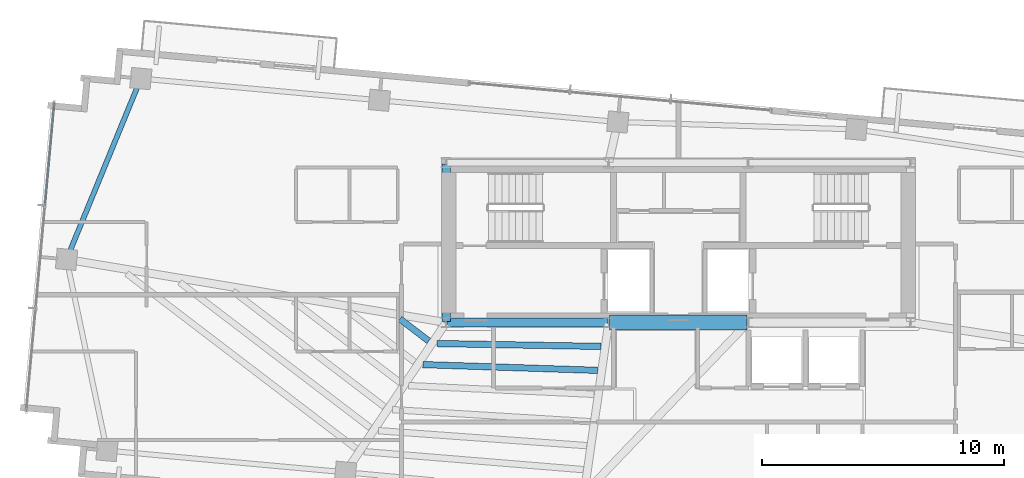
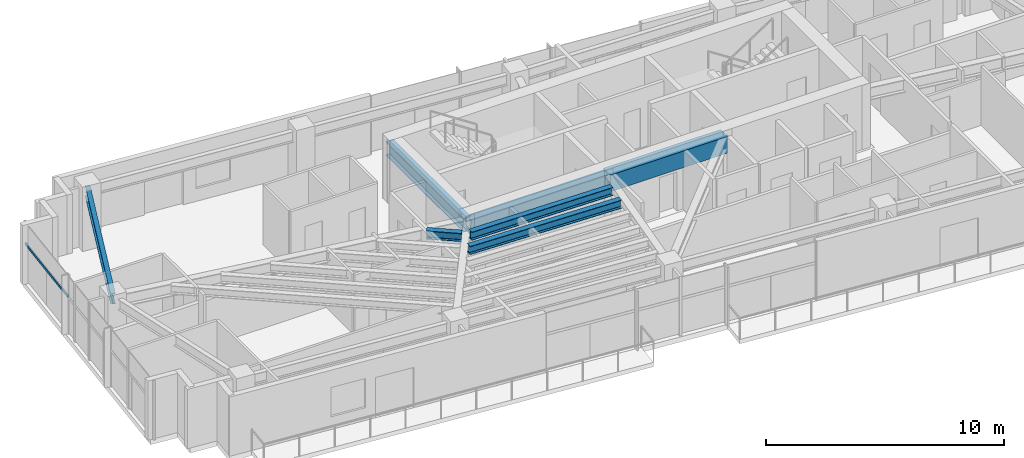
# One storey, part 8 of 22: 7 beams, 1 member, 1 element without a shape of its own.
"""IFC4 building model written with IfcOpenShell, lengths in metres."""

from ifc_helpers import new_model, si_unit, direction, frame, origin, origin_2d, place, context, subcontext, project, spatial, rectangle, hollow_rectangle, i_section, extrude, source, transform, mapped, material, material_profile, profile_set, type_object, type_shapes, element, aggregate, save


model = new_model("IFC4")

# Units and contexts
model_context = context("Model", 3, precision=1e-05, world=origin(), true_north=direction((0.0, 1.0)))
body_context = subcontext(model_context, "Body", "Model", "MODEL_VIEW")
ifc_project = project(units=[si_unit("LENGTHUNIT", "METRE"), si_unit("AREAUNIT", "SQUARE_METRE"), si_unit("VOLUMEUNIT", "CUBIC_METRE"), si_unit("PLANEANGLEUNIT", "RADIAN"), si_unit("MASSUNIT", "GRAM", prefix="KILO")], contexts=[model_context])

# Site, building, storey
site_placement = place(None, origin())
site = spatial("IfcSite", under=ifc_project, at=site_placement, CompositionType="ELEMENT")
building_placement = place(site_placement, origin())
building = spatial("IfcBuilding", under=site, at=building_placement, Name="Astriad Promenade Condominiums", CompositionType="ELEMENT")
storey_placement = place(building_placement, frame((0.0, 0.0, 249.60009765625)))
storey = spatial("IfcBuildingStorey", under=building, at=storey_placement, Name="L72", CompositionType="ELEMENT", Elevation=249.60009765625)

# Beams
ifc_material_1 = material(Name="Steel ASTM A992 Grade 50", Category="steel")
ifc_material_profile_1 = material_profile(ifc_material_1, i_section(OverallWidth=0.3837890625, OverallDepth=0.785888671875, WebThickness=0.019775390625, FlangeThickness=0.033447265625, FilletRadius=0.021484375, at=origin_2d()), Name="W30X211")
ifc_profile_set_1 = profile_set([ifc_material_profile_1], Name="Steel ASTM A992 Grade 50")
beam_type_1 = type_object("IfcBeamType", Name="STEEL FLOOR GIRDER W30X211", PredefinedType="BEAM", material=ifc_profile_set_1)
shared_shape_1 = source(origin(), body_context, "Body", "SweptSolid", [
    extrude(i_section(OverallWidth=0.3837890625, OverallDepth=0.785888671875, WebThickness=0.019775390625, FlangeThickness=0.033447265625, FilletRadius=0.021484375, at=origin_2d()), origin(), (0.0, 0.0, 1.0), 6.64013671875),
])
type_shapes(beam_type_1, [shared_shape_1])
beam_1_placement = place(storey_placement, frame((26.43994140625, 17.39990234375, 2.64697265625), z_axis=(1.0, 0.0, 0.0), x_axis=(0.0, 1.0, 0.0)))
element("IfcBeam", 1, at=beam_1_placement, inside=storey, type_object=beam_type_1, Name="Core Ring Beam CG-S1-L72", PredefinedType="BEAM", context=body_context, shape_type="MappedRepresentation", body=[
    mapped(shared_shape_1, transform((0.0, 0.0, 0.0), scale=1.0)),
])
ifc_material_profile_2 = material_profile(ifc_material_1, i_section(OverallWidth=0.35791015625, OverallDepth=0.706298828125, WebThickness=0.018310546875, FlangeThickness=0.0302734375, FilletRadius=0.020263671875, at=origin_2d()), Name="W27X178")
ifc_profile_set_2 = profile_set([ifc_material_profile_2], Name="Steel ASTM A992 Grade 50")
beam_type_2 = type_object("IfcBeamType", Name="STEEL FLOOR GIRDER W27X178", PredefinedType="BEAM", material=ifc_profile_set_2)
shared_shape_2 = source(origin(), body_context, "Body", "SweptSolid", [
    extrude(i_section(OverallWidth=0.35791015625, OverallDepth=0.706298828125, WebThickness=0.018310546875, FlangeThickness=0.0302734375, FilletRadius=0.020263671875, at=origin_2d()), origin(), (0.0, 0.0, 1.0), 6.52001953125),
])
type_shapes(beam_type_2, [shared_shape_2])
beam_2_placement = place(storey_placement, frame((26.39990234375, 17.43994140625, 2.686767578125), z_axis=(0.0, 1.0, 0.0), x_axis=(-1.0, 0.0, 0.0)))
element("IfcBeam", 2, at=beam_2_placement, inside=storey, type_object=beam_type_2, Name="Core Ring Beam CG-W1-L72", PredefinedType="BEAM", context=body_context, shape_type="MappedRepresentation", body=[
    mapped(shared_shape_2, transform((0.0, 0.0, 0.0), scale=1.0)),
])
ifc_material_2 = material(Name="Concrete C60/75", Category="concrete")
ifc_material_profile_3 = material_profile(ifc_material_2, rectangle(XDim=0.60009765625, YDim=0.85009765625, at=origin_2d()), Name="RC-BM-600X850")
ifc_profile_set_3 = profile_set([ifc_material_profile_3], Name="Concrete C60/75")
beam_type_3 = type_object("IfcBeamType", Name="CONCRETE CORE COUPLING LINTEL 600X850", PredefinedType="LINTEL", material=ifc_profile_set_3)
shared_shape_3 = source(origin(), body_context, "Body", "SweptSolid", [
    extrude(rectangle(XDim=0.60009765625, YDim=0.85009765625, at=origin_2d()), origin(), (0.0, 0.0, 1.0), 5.68017578125),
])
type_shapes(beam_type_3, [shared_shape_3])
beam_3_placement = place(storey_placement, frame((33.159912109375, 17.39990234375, 2.614990234375), z_axis=(1.0, 0.0, 0.0), x_axis=(0.0, 1.0, 0.0)))
element("IfcBeam", 3, at=beam_3_placement, inside=storey, type_object=beam_type_3, Name="Core Ring Beam CG-S2-L72", PredefinedType="LINTEL", context=body_context, shape_type="MappedRepresentation", body=[
    mapped(shared_shape_3, transform((0.0, 0.0, 0.0), scale=1.0)),
])
ifc_material_profile_4 = material_profile(ifc_material_1, i_section(OverallWidth=0.210693359375, OverallDepth=0.53955078125, WebThickness=0.01171875, FlangeThickness=0.018798828125, FilletRadius=0.0166015625, at=origin_2d()), Name="W21X73")
ifc_profile_set_4 = profile_set([ifc_material_profile_4], Name="Steel ASTM A992 Grade 50")
beam_type_4 = type_object("IfcBeamType", Name="STEEL SPANDREL BEAM W21X73", PredefinedType="SPANDREL", material=ifc_profile_set_4)
shared_shape_4 = source(origin(), body_context, "Body", "SweptSolid", [
    extrude(i_section(OverallWidth=0.210693359375, OverallDepth=0.53955078125, WebThickness=0.01171875, FlangeThickness=0.018798828125, FilletRadius=0.0166015625, at=origin_2d()), origin(), (0.0, 0.0, 1.0), 7.998779296875),
])
type_shapes(beam_type_4, [shared_shape_4])
beam_4_placement = place(storey_placement, frame((13.76611328125, 27.44580078125, 2.77001953125), z_axis=(-0.38000513148, -0.924984378273, 0.0), x_axis=(0.924984378273, -0.38000513148, 0.0)))
element("IfcBeam", 4, at=beam_4_placement, inside=storey, type_object=beam_type_4, Name="Perimeter Spandrel Beam SP-W2-L72", PredefinedType="SPANDREL", context=body_context, shape_type="MappedRepresentation", body=[
    mapped(shared_shape_4, transform((0.0, 0.0, 0.0), scale=1.0)),
])
ifc_material_profile_5 = material_profile(ifc_material_1, i_section(OverallWidth=0.26318359375, OverallDepth=0.425537109375, WebThickness=0.01318359375, FlangeThickness=0.022216796875, FilletRadius=0.013916015625, at=origin_2d()), Name="W16X89")
ifc_profile_set_5 = profile_set([ifc_material_profile_5], Name="Steel ASTM A992 Grade 50")
beam_type_5 = type_object("IfcBeamType", Name="STEEL FLOOR JOIST W16X89", PredefinedType="JOIST", material=ifc_profile_set_5)
shared_shape_5 = source(origin(), body_context, "Body", "SweptSolid", [
    extrude(i_section(OverallWidth=0.26318359375, OverallDepth=0.425537109375, WebThickness=0.01318359375, FlangeThickness=0.022216796875, FilletRadius=0.013916015625, at=origin_2d()), origin(), (0.0, 0.0, 1.0), 1.497314453125),
])
beam_5_placement = place(storey_placement, frame((24.489501953125, 17.547119140625, 2.8271484375), z_axis=(0.79482500583, -0.606838701887, 0.0), x_axis=(0.606838701887, 0.79482500583, 0.0)))
element("IfcBeam", 5, at=beam_5_placement, inside=storey, type_object=beam_type_5, Name="Secondary Composite Floor Joist JW1-6-L72", PredefinedType="JOIST", context=body_context, shape_type="MappedRepresentation", body=[
    mapped(shared_shape_5, transform((0.0, 0.0, 0.0), scale=1.0)),
])
shared_shape_6 = source(origin(), body_context, "Body", "SweptSolid", [
    extrude(i_section(OverallWidth=0.26318359375, OverallDepth=0.425537109375, WebThickness=0.01318359375, FlangeThickness=0.022216796875, FilletRadius=0.013916015625, at=origin_2d()), origin(), (0.0, 0.0, 1.0), 7.226318359375),
])
beam_6_placement = place(storey_placement, frame((25.43798828125, 15.659912109375, 2.8271484375), z_axis=(0.999453981353, -0.033041476313, 0.0), x_axis=(0.033041476313, 0.999453981353, 0.0)))
element("IfcBeam", 6, at=beam_6_placement, inside=storey, type_object=beam_type_5, Name="Secondary Composite Floor Joist JCW-5-L72", PredefinedType="JOIST", context=body_context, shape_type="MappedRepresentation", body=[
    mapped(shared_shape_6, transform((0.0, 0.0, 0.0), scale=1.0)),
])
shared_shape_7 = source(origin(), body_context, "Body", "SweptSolid", [
    extrude(i_section(OverallWidth=0.26318359375, OverallDepth=0.425537109375, WebThickness=0.01318359375, FlangeThickness=0.022216796875, FilletRadius=0.013916015625, at=origin_2d()), origin(), (0.0, 0.0, 1.0), 6.781494140625),
])
type_shapes(beam_type_5, [shared_shape_5, shared_shape_6, shared_shape_7])
beam_7_placement = place(storey_placement, frame((26.022216796875, 16.52978515625, 2.8271484375), z_axis=(0.999845665325, -0.017568310398, 0.0), x_axis=(0.017568310398, 0.999845665325, 0.0)))
element("IfcBeam", 7, at=beam_7_placement, inside=storey, type_object=beam_type_5, Name="Secondary Composite Floor Joist JCW-6-L72", PredefinedType="JOIST", context=body_context, shape_type="MappedRepresentation", body=[
    mapped(shared_shape_7, transform((0.0, 0.0, 0.0), scale=1.0)),
])

# Curtain wall, member
ifc_material_3 = material(Name="Anodised aluminium Black Dark Glass Unitised", Category="aluminium")
curtain_wall_type = type_object("IfcCurtainWallType", Name="CW-B5-DARK", PredefinedType="USERDEFINED", material=ifc_material_3)
curtain_wall_placement = place(storey_placement, origin())
curtain_wall = element("IfcCurtainWall", 8, at=curtain_wall_placement, inside=storey, type_object=curtain_wall_type, Name="CW-L72-W", ObjectType="UNITISED_CURTAIN_WALL", PredefinedType="USERDEFINED")
ifc_material_4 = material(Name="Anodised aluminium 6063-T6 Black", Category="aluminium")
ifc_material_profile_6 = material_profile(ifc_material_4, hollow_rectangle(XDim=0.06494140625, YDim=0.1298828125, WallThickness=0.00390625, at=origin_2d()), Name="ALU-TRN-65X130")
ifc_profile_set_6 = profile_set([ifc_material_profile_6], Name="Anodised aluminium 6063-T6 Black")
member_type = type_object("IfcMemberType", Name="TRN-ALU-TRN-65X130", PredefinedType="USERDEFINED", material=ifc_profile_set_6)
shared_shape_8 = source(origin(), body_context, "Body", "SweptSolid", [
    extrude(hollow_rectangle(XDim=0.06494140625, YDim=0.1298828125, WallThickness=0.00390625, at=origin_2d()), origin(), (0.0, 0.0, 1.0), 4.2666015625),
])
type_shapes(member_type, [shared_shape_8])
member_placement = place(storey_placement, frame((9.819091796875, 22.233642578125, 1.884765625), z_axis=(0.090638931954, 0.99588382054, 0.0), x_axis=(-0.99588382054, 0.090638931954, 0.0)))
member = element("IfcMember", 9, at=member_placement, type_object=member_type, Name="CW-L72-W-TRN-02-0", ObjectType="TRANSOM", PredefinedType="USERDEFINED", context=body_context, shape_type="MappedRepresentation", body=[
    mapped(shared_shape_8, transform((0.0, 0.0, 0.0), scale=1.0)),
])
aggregate(curtain_wall, [member])

save(model, "model.ifc")
